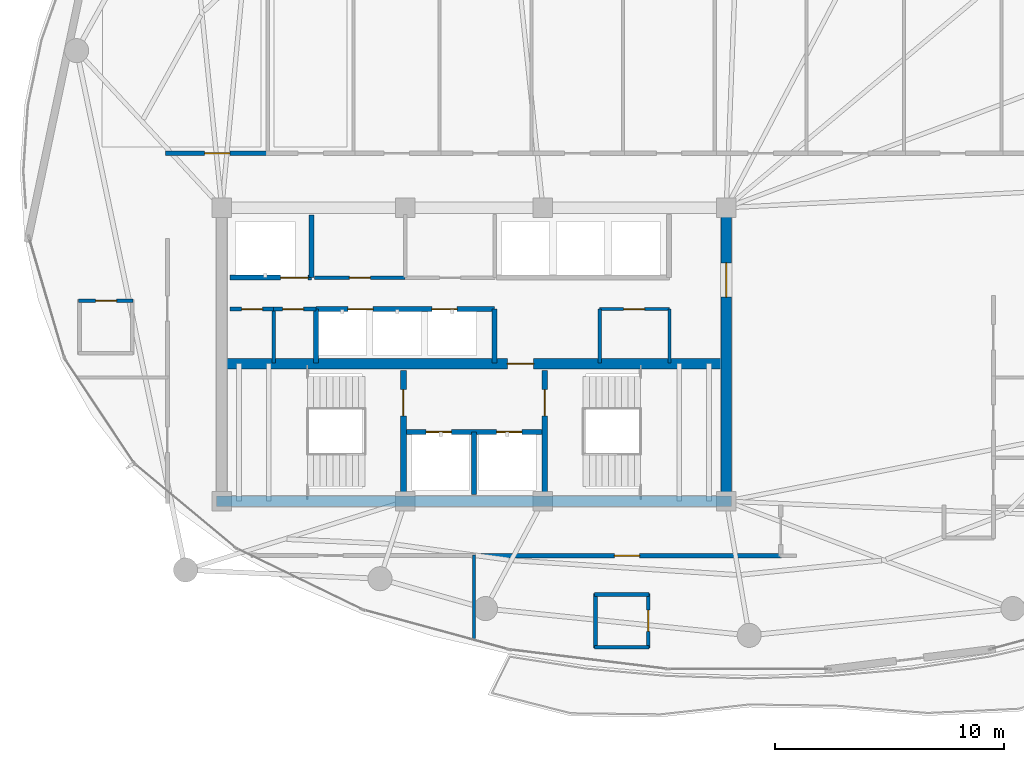
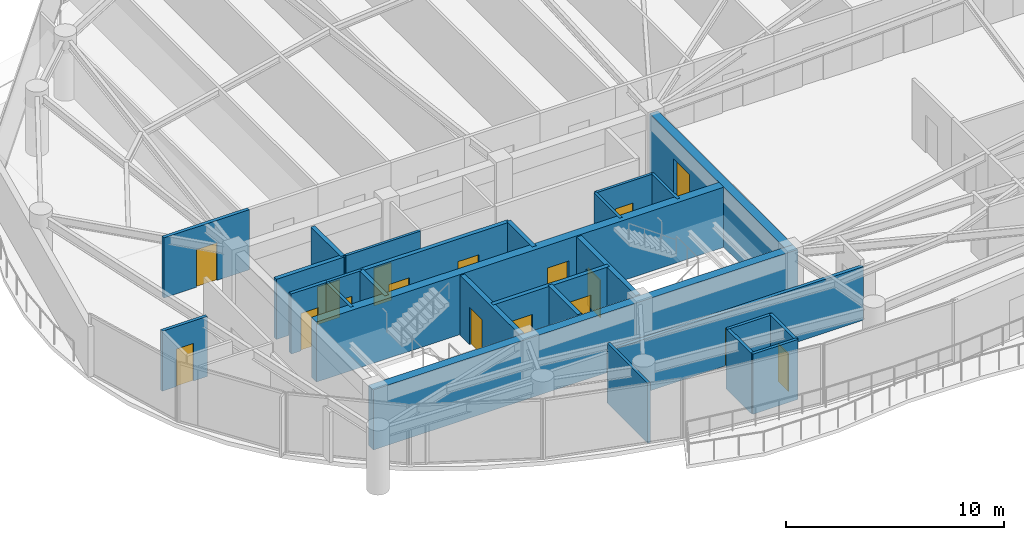
# One storey, part 23 of 29: 27 walls, 17 doors, 17 openings.
"""IFC4 building model written with IfcOpenShell, lengths in metres."""

from ifc_helpers import new_model, si_unit, direction, frame, frame_2d, origin, place, context, subcontext, project, spatial, rectangle, extrude, material, layer, layer_set, type_object, element, fill, save


model = new_model("IFC4")

# Units and contexts
model_context = context("Model", 3, precision=1e-05, world=origin(), true_north=direction((0.0, 1.0)))
body_context = subcontext(model_context, "Body", "Model", "MODEL_VIEW")
ifc_project = project(units=[si_unit("LENGTHUNIT", "METRE"), si_unit("AREAUNIT", "SQUARE_METRE"), si_unit("VOLUMEUNIT", "CUBIC_METRE"), si_unit("PLANEANGLEUNIT", "RADIAN"), si_unit("MASSUNIT", "GRAM", prefix="KILO")], contexts=[model_context])

# Site, building, storey
site_placement = place(None, origin())
site = spatial("IfcSite", under=ifc_project, at=site_placement, CompositionType="ELEMENT")
building_placement = place(site_placement, origin())
building = spatial("IfcBuilding", under=site, at=building_placement, Name="Kazevale Care Tower and Concert Hall", CompositionType="ELEMENT")
storey_placement = place(building_placement, frame((0.0, 0.0, 195.60009765625)))
storey = spatial("IfcBuildingStorey", under=building, at=storey_placement, Name="L51", CompositionType="ELEMENT", Elevation=195.60009765625)

# Wall, opening, door
ifc_material_1 = material(Name="Acoustic Gypsum on Steel Stud", Category="steel")
ifc_layer_1 = layer(ifc_material_1, 0.139892578125)
ifc_layer_set_1 = layer_set([ifc_layer_1], Name="Acoustic Gypsum on Steel Stud")
wall_type_1 = type_object("IfcWallType", Name="Acoustic Care & Suite Partition 140", PredefinedType="PARTITIONING", material=ifc_layer_set_1)
wall_1_placement = place(storey_placement, frame((26.050048828125, 33.35009765625, 0.0), z_axis=(0.0, 0.0, 1.0), x_axis=(1.0, 0.0, 0.0)))
wall_1 = element("IfcWall", 1, at=wall_1_placement, inside=storey, type_object=wall_type_1, Name="wall:L51:c_rpl1_s", PredefinedType="PARTITIONING", context=body_context, shape_type="SweptSolid", body=[
    extrude(rectangle(XDim=3.949951171875, YDim=0.139892578125, at=frame_2d((1.97509765625, 0.0))), origin(), (0.0, 0.0, 1.0), 3.35986328125),
])
opening_1_placement = place(wall_1_placement, frame((1.514892578125, 0.0, 0.0)))
opening_1 = element("IfcOpeningElement", 2, at=opening_1_placement, cuts=wall_1, Name="Opening ID-900", PredefinedType="OPENING", context=body_context, shape_type="SweptSolid", body=[
    extrude(rectangle(XDim=0.919921875, YDim=2.10009765625, at=frame_2d((0.4599609375, 1.050048828125))), frame((0.0, 0.079833984375, 0.0), z_axis=(0.0, -1.0, 0.0), x_axis=(1.0, 0.0, 0.0)), (0.0, 0.0, 1.0), 0.159912109375),
])
ifc_material_2 = material(Name="Oak Timber Fire Leaf", Category="wood")
door_type_1 = type_object("IfcDoorType", Name="Bathroom & Service Door 920x2100", OperationType="NOTDEFINED", PredefinedType="DOOR", material=ifc_material_2)
door_1_placement = place(opening_1_placement, origin())
door_1 = element("IfcDoor", 3, at=door_1_placement, inside=storey, type_object=door_type_1, Name="door:L51:d_rpl1", OperationType="SINGLE_SWING_LEFT", OverallHeight=2.10009765625, OverallWidth=0.919921875, PredefinedType="DOOR", context=body_context, shape_type="SweptSolid", body=[
    extrude(rectangle(XDim=0.919921875, YDim=2.10009765625, at=frame_2d((0.4599609375, 1.050048828125))), frame((0.0, 0.02490234375, 0.0), z_axis=(0.0, -1.0, 0.0), x_axis=(1.0, 0.0, 0.0)), (0.0, 0.0, 1.0), 0.050048828125),
])
fill(opening_1, door_1)

# Walls
for number, where, z_axis, x_axis, name in (
    (4, (38.47998046875, 29.6201171875, 0.0), (0.0, 0.0, 1.0), (0.0, 1.0, 0.0), "wall:L51:kb_ew"),
    (5, (41.52001953125, 29.6201171875, 0.0), (0.0, 0.0, 1.0), (0.0, 1.0, 0.0), "wall:L51:kb_ee"),
):
    element("IfcWall", number, at=place(storey_placement, frame(where, z_axis=z_axis, x_axis=x_axis)), inside=storey, type_object=wall_type_1, Name=name, PredefinedType="PARTITIONING", context=body_context, shape_type="SweptSolid", body=[
        extrude(rectangle(XDim=2.35986328125, YDim=0.139892578125, at=frame_2d((1.179931640625, 0.0))), origin(), (0.0, 0.0, 1.0), 3.35986328125),
    ])

# Wall, opening, door
wall_2_placement = place(storey_placement, frame((38.47998046875, 31.97998046875, 0.0), z_axis=(0.0, 0.0, 1.0), x_axis=(1.0, 0.0, 0.0)))
wall_2 = element("IfcWall", 6, at=wall_2_placement, inside=storey, type_object=wall_type_1, Name="wall:L51:kb_en", PredefinedType="PARTITIONING", context=body_context, shape_type="SweptSolid", body=[
    extrude(rectangle(XDim=3.0400390625, YDim=0.139892578125, at=frame_2d((1.52001953125, 0.0))), origin(), (0.0, 0.0, 1.0), 3.35986328125),
])
opening_2_placement = place(wall_2_placement, frame((1.044921875, 0.0, 0.0)))
opening_2 = element("IfcOpeningElement", 7, at=opening_2_placement, cuts=wall_2, Name="Opening ID-900", PredefinedType="OPENING", context=body_context, shape_type="SweptSolid", body=[
    extrude(rectangle(XDim=0.919921875, YDim=2.10009765625, at=frame_2d((0.4599609375, 1.050048828125))), frame((0.0, 0.079833984375, 0.0), z_axis=(0.0, -1.0, 0.0), x_axis=(1.0, 0.0, 0.0)), (0.0, 0.0, 1.0), 0.159912109375),
])
door_2_placement = place(opening_2_placement, origin())
door_2 = element("IfcDoor", 8, at=door_2_placement, inside=storey, type_object=door_type_1, Name="door:L51:d_kbe", OperationType="SINGLE_SWING_LEFT", OverallHeight=2.10009765625, OverallWidth=0.919921875, PredefinedType="DOOR", context=body_context, shape_type="SweptSolid", body=[
    extrude(rectangle(XDim=0.919921875, YDim=2.10009765625, at=frame_2d((0.4599609375, 1.050048828125))), frame((0.0, 0.02490234375, 0.0), z_axis=(0.0, -1.0, 0.0), x_axis=(1.0, 0.0, 0.0)), (0.0, 0.0, 1.0), 0.050048828125),
])
fill(opening_2, door_2)

# Walls
wall_3_placement = place(storey_placement, frame((33.0, 21.2548828125, 0.0), z_axis=(0.0, 0.0, 1.0), x_axis=(0.0, -1.0, 0.0)))
element("IfcWall", 9, at=wall_3_placement, inside=storey, type_object=wall_type_1, Name="wall:L51:auto_039", PredefinedType="PARTITIONING", context=body_context, shape_type="SweptSolid", body=[
    extrude(rectangle(XDim=3.69482421875, YDim=0.139892578125, at=frame_2d((1.847412109375, 0.0))), origin(), (0.0, 0.0, 1.0), 3.35986328125),
])
ifc_material_3 = material(Name="Concrete C50", Category="concrete")
ifc_layer_2 = layer(ifc_material_3, 0.449951171875)
ifc_layer_set_2 = layer_set([ifc_layer_2], Name="Concrete C50")
wall_type_2 = type_object("IfcWallType", Name="Core Shear Wall 450 C50", PredefinedType="SHEAR", material=ifc_layer_set_2)
wall_4_placement = place(storey_placement, frame((21.77490234375, 23.60009765625, 0.0), z_axis=(0.0, 0.0, 1.0), x_axis=(1.0, 0.0, 0.0)))
element("IfcWall", 10, at=wall_4_placement, inside=storey, type_object=wall_type_2, Name="wall:L51:core:S", PredefinedType="SHEAR", context=body_context, shape_type="SweptSolid", body=[
    extrude(rectangle(XDim=22.4501953125, YDim=0.449951171875, at=frame_2d((11.22509765625, 0.0))), origin(), (0.0, 0.0, 1.0), 3.35986328125),
])

# Wall, opening, door
wall_5_placement = place(storey_placement, frame((44.0, 23.824951171875, 0.0), z_axis=(0.0, 0.0, 1.0), x_axis=(0.0, 1.0, 0.0)))
wall_5 = element("IfcWall", 11, at=wall_5_placement, inside=storey, type_object=wall_type_2, Name="wall:L51:core:E", PredefinedType="SHEAR", context=body_context, shape_type="SweptSolid", body=[
    extrude(rectangle(XDim=12.35009765625, YDim=0.449951171875, at=frame_2d((6.175048828125, 0.0))), origin(), (0.0, 0.0, 1.0), 3.35986328125),
])
opening_3_placement = place(wall_5_placement, frame((8.675048828125, 0.0, 0.0)))
opening_3 = element("IfcOpeningElement", 12, at=opening_3_placement, cuts=wall_5, Name="Opening FD-60D", PredefinedType="OPENING", context=body_context, shape_type="SweptSolid", body=[
    extrude(rectangle(XDim=1.5, YDim=2.14990234375, at=frame_2d((0.75, 1.074951171875))), frame((0.0, 0.23486328125, 0.0), z_axis=(0.0, -1.0, 0.0), x_axis=(1.0, 0.0, 0.0)), (0.0, 0.0, 1.0), 0.469970703125),
])
door_type_2 = type_object("IfcDoorType", Name="Double Lobby & Auditorium Fire Door 1500x2150", OperationType="NOTDEFINED", PredefinedType="DOOR", material=ifc_material_2)
door_3_placement = place(opening_3_placement, origin())
door_3 = element("IfcDoor", 13, at=door_3_placement, inside=storey, type_object=door_type_2, Name="door:L51:core_east_out", OperationType="DOUBLE_DOOR_SINGLE_SWING", OverallHeight=2.14990234375, OverallWidth=1.5, PredefinedType="DOOR", context=body_context, shape_type="SweptSolid", body=[
    extrude(rectangle(XDim=1.5, YDim=2.14990234375, at=frame_2d((0.75, 1.074951171875))), frame((0.0, 0.02490234375, 0.0), z_axis=(0.0, -1.0, 0.0), x_axis=(1.0, 0.0, 0.0)), (0.0, 0.0, 1.0), 0.050048828125),
])
fill(opening_3, door_3)

wall_6_placement = place(storey_placement, frame((22.22509765625, 29.60009765625, 0.0), z_axis=(0.0, 0.0, 1.0), x_axis=(1.0, 0.0, 0.0)))
wall_6 = element("IfcWall", 14, at=wall_6_placement, inside=storey, type_object=wall_type_2, Name="wall:L51:core:M", PredefinedType="SHEAR", context=body_context, shape_type="SweptSolid", body=[
    extrude(rectangle(XDim=21.5498046875, YDim=0.449951171875, at=frame_2d((10.77490234375, 0.0))), origin(), (0.0, 0.0, 1.0), 3.35986328125),
])
opening_4_placement = place(wall_6_placement, frame((12.22509765625, 0.0, 0.0)))
opening_4 = element("IfcOpeningElement", 15, at=opening_4_placement, cuts=wall_6, Name="Opening FD-90", PredefinedType="OPENING", context=body_context, shape_type="SweptSolid", body=[
    extrude(rectangle(XDim=1.14990234375, YDim=2.10009765625, at=frame_2d((0.574951171875, 1.050048828125))), frame((0.0, 0.23486328125, 0.0), z_axis=(0.0, -1.0, 0.0), x_axis=(1.0, 0.0, 0.0)), (0.0, 0.0, 1.0), 0.469970703125),
])
ifc_material_4 = material(Name="Steel ASTM A572 Gr 50", Category="steel")
door_type_3 = type_object("IfcDoorType", Name="Pressurized Stair & Lobby Fire Door 1150x2100", OperationType="NOTDEFINED", PredefinedType="DOOR", material=ifc_material_4)
door_4_placement = place(opening_4_placement, origin())
door_4 = element("IfcDoor", 16, at=door_4_placement, inside=storey, type_object=door_type_3, Name="door:L51:ff_to_pax", OperationType="SINGLE_SWING_LEFT", OverallHeight=2.10009765625, OverallWidth=1.14990234375, PredefinedType="DOOR", context=body_context, shape_type="SweptSolid", body=[
    extrude(rectangle(XDim=1.14990234375, YDim=2.10009765625, at=frame_2d((0.574951171875, 1.050048828125))), frame((0.0, 0.02490234375, 0.0), z_axis=(0.0, -1.0, 0.0), x_axis=(1.0, 0.0, 0.0)), (0.0, 0.0, 1.0), 0.050048828125),
])
fill(opening_4, door_4)

# Wall, openings, doors
ifc_material_5 = material(Name="Concrete C40", Category="concrete")
ifc_layer_3 = layer(ifc_material_5, 0.219970703125)
ifc_layer_set_3 = layer_set([ifc_layer_3], Name="Concrete C40")
wall_type_3 = type_object("IfcWallType", Name="Elevator Hoistway Shaft Wall 220", PredefinedType="SOLIDWALL", material=ifc_layer_set_3)
wall_7_placement = place(storey_placement, frame((29.919921875, 26.6201171875, 0.0), z_axis=(0.0, 0.0, 1.0), x_axis=(1.0, 0.0, 0.0)))
wall_7 = element("IfcWall", 17, at=wall_7_placement, inside=storey, type_object=wall_type_3, Name="wall:L51:c_ffl_n", PredefinedType="SOLIDWALL", context=body_context, shape_type="SweptSolid", body=[
    extrude(rectangle(XDim=6.16015625, YDim=0.219970703125, at=frame_2d((3.080078125, 0.0))), origin(), (0.0, 0.0, 1.0), 3.35986328125),
])
opening_5_placement = place(wall_7_placement, frame((0.989990234375, 0.0, 0.0)))
opening_5 = element("IfcOpeningElement", 18, at=opening_5_placement, cuts=wall_7, Name="Opening LD-FF", PredefinedType="OPENING", context=body_context, shape_type="SweptSolid", body=[
    extrude(rectangle(XDim=1.10009765625, YDim=2.10009765625, at=frame_2d((0.550048828125, 1.050048828125))), frame((0.0, 0.119873046875, 0.0), z_axis=(0.0, -1.0, 0.0), x_axis=(1.0, 0.0, 0.0)), (0.0, 0.0, 1.0), 0.239990234375),
])
opening_6_placement = place(wall_7_placement, frame((4.070068359375, 0.0, 0.0)))
opening_6 = element("IfcOpeningElement", 19, at=opening_6_placement, cuts=wall_7, Name="Opening LD-FF", PredefinedType="OPENING", context=body_context, shape_type="SweptSolid", body=[
    extrude(rectangle(XDim=1.10009765625, YDim=2.10009765625, at=frame_2d((0.550048828125, 1.050048828125))), frame((0.0, 0.119873046875, 0.0), z_axis=(0.0, -1.0, 0.0), x_axis=(1.0, 0.0, 0.0)), (0.0, 0.0, 1.0), 0.239990234375),
])
ifc_material_6 = material(Name="Stainless Steel 316", Category="steel")
door_type_4 = type_object("IfcDoorType", Name="Emergency Lift Sliding Landing Door 1100x2100", OperationType="NOTDEFINED", PredefinedType="DOOR", material=ifc_material_6)
door_5_placement = place(opening_5_placement, origin())
door_5 = element("IfcDoor", 20, at=door_5_placement, inside=storey, type_object=door_type_4, Name="door:L51:ld_ffl1", OperationType="SLIDING_TO_LEFT", OverallHeight=2.10009765625, OverallWidth=1.10009765625, PredefinedType="DOOR", context=body_context, shape_type="SweptSolid", body=[
    extrude(rectangle(XDim=1.10009765625, YDim=2.10009765625, at=frame_2d((0.550048828125, 1.050048828125))), frame((0.0, 0.02490234375, 0.0), z_axis=(0.0, -1.0, 0.0), x_axis=(1.0, 0.0, 0.0)), (0.0, 0.0, 1.0), 0.050048828125),
])
fill(opening_5, door_5)
door_6_placement = place(opening_6_placement, origin())
door_6 = element("IfcDoor", 21, at=door_6_placement, inside=storey, type_object=door_type_4, Name="door:L51:ld_ffl2", OperationType="SLIDING_TO_RIGHT", OverallHeight=2.10009765625, OverallWidth=1.10009765625, PredefinedType="DOOR", context=body_context, shape_type="SweptSolid", body=[
    extrude(rectangle(XDim=1.10009765625, YDim=2.10009765625, at=frame_2d((0.550048828125, 1.050048828125))), frame((0.0, 0.02490234375, 0.0), z_axis=(0.0, -1.0, 0.0), x_axis=(1.0, 0.0, 0.0)), (0.0, 0.0, 1.0), 0.050048828125),
])
fill(opening_6, door_6)

# Walls
wall_8_placement = place(storey_placement, frame((33.0, 23.89990234375, 0.0), z_axis=(0.0, 0.0, 1.0), x_axis=(0.0, 1.0, 0.0)))
element("IfcWall", 22, at=wall_8_placement, inside=storey, type_object=wall_type_3, Name="wall:L51:c_ffl_m", PredefinedType="SOLIDWALL", context=body_context, shape_type="SweptSolid", body=[
    extrude(rectangle(XDim=2.72021484375, YDim=0.219970703125, at=frame_2d((1.360107421875, 0.0))), origin(), (0.0, 0.0, 1.0), 3.35986328125),
])
wall_9_placement = place(storey_placement, frame((25.919921875, 33.35009765625, 0.0), z_axis=(0.0, 0.0, 1.0), x_axis=(0.0, 1.0, 0.0)))
element("IfcWall", 23, at=wall_9_placement, inside=storey, type_object=wall_type_3, Name="wall:L51:c_svl_e", PredefinedType="SOLIDWALL", context=body_context, shape_type="SweptSolid", body=[
    extrude(rectangle(XDim=2.72998046875, YDim=0.219970703125, at=frame_2d((1.364990234375, 0.0))), origin(), (0.0, 0.0, 1.0), 3.35986328125),
])

# Wall, opening, door
wall_10_placement = place(storey_placement, frame((22.35009765625, 33.35009765625, 0.0), z_axis=(0.0, 0.0, 1.0), x_axis=(1.0, 0.0, 0.0)))
wall_10 = element("IfcWall", 24, at=wall_10_placement, inside=storey, type_object=wall_type_3, Name="wall:L51:c_svl_s", PredefinedType="SOLIDWALL", context=body_context, shape_type="SweptSolid", body=[
    extrude(rectangle(XDim=3.56982421875, YDim=0.219970703125, at=frame_2d((1.784912109375, 0.0))), origin(), (0.0, 0.0, 1.0), 3.35986328125),
])
opening_7_placement = place(wall_10_placement, frame((2.212890625, 0.0, 0.0)))
opening_7 = element("IfcOpeningElement", 25, at=opening_7_placement, cuts=wall_10, Name="Opening LD-SV", PredefinedType="OPENING", context=body_context, shape_type="SweptSolid", body=[
    extrude(rectangle(XDim=1.199951171875, YDim=2.10009765625, at=frame_2d((0.60009765625, 1.050048828125))), frame((0.0, 0.119873046875, 0.0), z_axis=(0.0, -1.0, 0.0), x_axis=(1.0, 0.0, 0.0)), (0.0, 0.0, 1.0), 0.239990234375),
])
door_type_5 = type_object("IfcDoorType", Name="Service Lift Sliding Landing Door 1200x2100", OperationType="NOTDEFINED", PredefinedType="DOOR", material=ifc_material_6)
door_7_placement = place(opening_7_placement, origin())
door_7 = element("IfcDoor", 26, at=door_7_placement, inside=storey, type_object=door_type_5, Name="door:L51:ld_svl1", OperationType="SLIDING_TO_LEFT", OverallHeight=2.10009765625, OverallWidth=1.199951171875, PredefinedType="DOOR", context=body_context, shape_type="SweptSolid", body=[
    extrude(rectangle(XDim=1.199951171875, YDim=2.10009765625, at=frame_2d((0.60009765625, 1.050048828125))), frame((0.0, 0.02490234375, 0.0), z_axis=(0.0, -1.0, 0.0), x_axis=(1.0, 0.0, 0.0)), (0.0, 0.0, 1.0), 0.050048828125),
])
fill(opening_7, door_7)

# Wall
wall_11_placement = place(storey_placement, frame((26.10009765625, 29.6201171875, 0.0), z_axis=(0.0, 0.0, 1.0), x_axis=(0.0, 1.0, 0.0)))
element("IfcWall", 27, at=wall_11_placement, inside=storey, type_object=wall_type_3, Name="wall:L51:c_ph_w", PredefinedType="SOLIDWALL", context=body_context, shape_type="SweptSolid", body=[
    extrude(rectangle(XDim=2.35986328125, YDim=0.219970703125, at=frame_2d((1.179931640625, 0.0))), origin(), (0.0, 0.0, 1.0), 3.35986328125),
])

# Wall, openings, doors
wall_12_placement = place(storey_placement, frame((26.10009765625, 31.97998046875, 0.0), z_axis=(0.0, 0.0, 1.0), x_axis=(1.0, 0.0, 0.0)))
wall_12 = element("IfcWall", 28, at=wall_12_placement, inside=storey, type_object=wall_type_3, Name="wall:L51:c_ph_n", PredefinedType="SOLIDWALL", context=body_context, shape_type="SweptSolid", body=[
    extrude(rectangle(XDim=7.7998046875, YDim=0.219970703125, at=frame_2d((3.89990234375, 0.0))), origin(), (0.0, 0.0, 1.0), 3.35986328125),
])
opening_8_placement = place(wall_12_placement, frame((1.39990234375, 0.0, 0.0)))
opening_8 = element("IfcOpeningElement", 29, at=opening_8_placement, cuts=wall_12, Name="Opening LD-PAX", PredefinedType="OPENING", context=body_context, shape_type="SweptSolid", body=[
    extrude(rectangle(XDim=1.10009765625, YDim=2.10009765625, at=frame_2d((0.550048828125, 1.050048828125))), frame((0.0, 0.119873046875, 0.0), z_axis=(0.0, -1.0, 0.0), x_axis=(1.0, 0.0, 0.0)), (0.0, 0.0, 1.0), 0.239990234375),
])
opening_9_placement = place(wall_12_placement, frame((5.06591796875, 0.0, 0.0)))
opening_9 = element("IfcOpeningElement", 30, at=opening_9_placement, cuts=wall_12, Name="Opening LD-PAX", PredefinedType="OPENING", context=body_context, shape_type="SweptSolid", body=[
    extrude(rectangle(XDim=1.10009765625, YDim=2.10009765625, at=frame_2d((0.550048828125, 1.050048828125))), frame((0.0, 0.119873046875, 0.0), z_axis=(0.0, -1.0, 0.0), x_axis=(1.0, 0.0, 0.0)), (0.0, 0.0, 1.0), 0.239990234375),
])
door_type_6 = type_object("IfcDoorType", Name="Passenger Lift Sliding Landing Door 1100x2100", OperationType="NOTDEFINED", PredefinedType="DOOR", material=ifc_material_6)
door_8_placement = place(opening_8_placement, origin())
door_8 = element("IfcDoor", 31, at=door_8_placement, inside=storey, type_object=door_type_6, Name="door:L51:ld_ph1", OperationType="SLIDING_TO_LEFT", OverallHeight=2.10009765625, OverallWidth=1.10009765625, PredefinedType="DOOR", context=body_context, shape_type="SweptSolid", body=[
    extrude(rectangle(XDim=1.10009765625, YDim=2.10009765625, at=frame_2d((0.550048828125, 1.050048828125))), frame((0.0, 0.02490234375, 0.0), z_axis=(0.0, -1.0, 0.0), x_axis=(1.0, 0.0, 0.0)), (0.0, 0.0, 1.0), 0.050048828125),
])
fill(opening_8, door_8)
door_9_placement = place(opening_9_placement, origin())
door_9 = element("IfcDoor", 32, at=door_9_placement, inside=storey, type_object=door_type_6, Name="door:L51:ld_ph2", OperationType="SLIDING_TO_RIGHT", OverallHeight=2.10009765625, OverallWidth=1.10009765625, PredefinedType="DOOR", context=body_context, shape_type="SweptSolid", body=[
    extrude(rectangle(XDim=1.10009765625, YDim=2.10009765625, at=frame_2d((0.550048828125, 1.050048828125))), frame((0.0, 0.02490234375, 0.0), z_axis=(0.0, -1.0, 0.0), x_axis=(1.0, 0.0, 0.0)), (0.0, 0.0, 1.0), 0.050048828125),
])
fill(opening_9, door_9)

# Wall
wall_13_placement = place(storey_placement, frame((33.89990234375, 29.6201171875, 0.0), z_axis=(0.0, 0.0, 1.0), x_axis=(0.0, 1.0, 0.0)))
element("IfcWall", 33, at=wall_13_placement, inside=storey, type_object=wall_type_3, Name="wall:L51:c_ph_e", PredefinedType="SOLIDWALL", context=body_context, shape_type="SweptSolid", body=[
    extrude(rectangle(XDim=2.35986328125, YDim=0.219970703125, at=frame_2d((1.179931640625, 0.0))), origin(), (0.0, 0.0, 1.0), 3.35986328125),
])

# Wall, opening, door
ifc_material_7 = material(Name="Concrete C40 and Acoustic Gypsum", Category="concrete")
ifc_layer_4 = layer(ifc_material_7, 0.179931640625)
ifc_layer_set_4 = layer_set([ifc_layer_4], Name="Concrete C40 and Acoustic Gypsum")
wall_type_4 = type_object("IfcWallType", Name="Fire-Rated Corridor & Party Wall 180", PredefinedType="PARTITIONING", material=ifc_layer_set_4)
wall_14_placement = place(storey_placement, frame((22.35009765625, 31.97998046875, 0.0), z_axis=(0.0, 0.0, 1.0), x_axis=(1.0, 0.0, 0.0)))
wall_14 = element("IfcWall", 34, at=wall_14_placement, inside=storey, type_object=wall_type_4, Name="wall:L51:kb_wn0", PredefinedType="PARTITIONING", context=body_context, shape_type="SweptSolid", body=[
    extrude(rectangle(XDim=1.909912109375, YDim=0.179931640625, at=frame_2d((0.955078125, 0.0))), origin(), (0.0, 0.0, 1.0), 3.35986328125),
])
opening_10_placement = place(wall_14_placement, frame((0.514892578125, 0.0, 0.0)))
opening_10 = element("IfcOpeningElement", 35, at=opening_10_placement, cuts=wall_14, Name="Opening ID-900", PredefinedType="OPENING", context=body_context, shape_type="SweptSolid", body=[
    extrude(rectangle(XDim=0.919921875, YDim=2.10009765625, at=frame_2d((0.4599609375, 1.050048828125))), frame((0.0, 0.099853515625, 0.0), z_axis=(0.0, -1.0, 0.0), x_axis=(1.0, 0.0, 0.0)), (0.0, 0.0, 1.0), 0.199951171875),
])
door_10_placement = place(opening_10_placement, origin())
door_10 = element("IfcDoor", 36, at=door_10_placement, inside=storey, type_object=door_type_1, Name="door:L51:d_kbw1", OperationType="SINGLE_SWING_LEFT", OverallHeight=2.10009765625, OverallWidth=0.919921875, PredefinedType="DOOR", context=body_context, shape_type="SweptSolid", body=[
    extrude(rectangle(XDim=0.919921875, YDim=2.10009765625, at=frame_2d((0.4599609375, 1.050048828125))), frame((0.0, 0.02490234375, 0.0), z_axis=(0.0, -1.0, 0.0), x_axis=(1.0, 0.0, 0.0)), (0.0, 0.0, 1.0), 0.050048828125),
])
fill(opening_10, door_10)

wall_15_placement = place(storey_placement, frame((19.544921875, 38.77490234375, 0.0), z_axis=(0.0, 0.0, 1.0), x_axis=(1.0, 0.0, 0.0)))
wall_15 = element("IfcWall", 37, at=wall_15_placement, inside=storey, type_object=wall_type_4, Name="wall:L51:auto_001", PredefinedType="PARTITIONING", context=body_context, shape_type="SweptSolid", body=[
    extrude(rectangle(XDim=4.52001953125, YDim=0.179931640625, at=frame_2d((2.260009765625, 0.0))), origin(), (0.0, 0.0, 1.0), 3.35986328125),
])
opening_11_placement = place(wall_15_placement, frame((1.7099609375, 0.0, 0.0)))
opening_11 = element("IfcOpeningElement", 38, at=opening_11_placement, cuts=wall_15, Name="Opening ID-1100", PredefinedType="OPENING", context=body_context, shape_type="SweptSolid", body=[
    extrude(rectangle(XDim=1.10009765625, YDim=2.10009765625, at=frame_2d((0.550048828125, 1.050048828125))), frame((0.0, 0.099853515625, 0.0), z_axis=(0.0, -1.0, 0.0), x_axis=(1.0, 0.0, 0.0)), (0.0, 0.0, 1.0), 0.199951171875),
])
door_type_7 = type_object("IfcDoorType", Name="Care Bedroom Accessible Door 1100x2100", OperationType="NOTDEFINED", PredefinedType="DOOR", material=ifc_material_2)
door_11_placement = place(opening_11_placement, origin())
door_11 = element("IfcDoor", 39, at=door_11_placement, inside=storey, type_object=door_type_7, Name="door:L51:ad_001", OperationType="SINGLE_SWING_LEFT", OverallHeight=2.10009765625, OverallWidth=1.10009765625, PredefinedType="DOOR", context=body_context, shape_type="SweptSolid", body=[
    extrude(rectangle(XDim=1.10009765625, YDim=2.10009765625, at=frame_2d((0.550048828125, 1.050048828125))), frame((0.0, 0.02490234375, 0.0), z_axis=(0.0, -1.0, 0.0), x_axis=(1.0, 0.0, 0.0)), (0.0, 0.0, 1.0), 0.050048828125),
])
fill(opening_11, door_11)

wall_16_placement = place(storey_placement, frame((46.405029296875, 21.22509765625, 0.0), z_axis=(0.0, 0.0, 1.0), x_axis=(-1.0, 0.0, 0.0)))
wall_16 = element("IfcWall", 40, at=wall_16_placement, inside=storey, type_object=wall_type_4, Name="wall:L51:auto_021", PredefinedType="PARTITIONING", context=body_context, shape_type="SweptSolid", body=[
    extrude(rectangle(XDim=13.469970703125, YDim=0.179931640625, at=frame_2d((6.73486328125, 0.0))), origin(), (0.0, 0.0, 1.0), 2.995849609375),
])
opening_12_placement = place(wall_16_placement, frame((6.18505859375, 0.0, 0.0)))
opening_12 = element("IfcOpeningElement", 41, at=opening_12_placement, cuts=wall_16, Name="Opening ID-1100", PredefinedType="OPENING", context=body_context, shape_type="SweptSolid", body=[
    extrude(rectangle(XDim=1.10009765625, YDim=2.10009765625, at=frame_2d((0.550048828125, 1.050048828125))), frame((0.0, 0.099853515625, 0.0), z_axis=(0.0, -1.0, 0.0), x_axis=(1.0, 0.0, 0.0)), (0.0, 0.0, 1.0), 0.199951171875),
])
door_12_placement = place(opening_12_placement, origin())
door_12 = element("IfcDoor", 42, at=door_12_placement, inside=storey, type_object=door_type_7, Name="door:L51:ad_021", OperationType="SINGLE_SWING_LEFT", OverallHeight=2.10009765625, OverallWidth=1.10009765625, PredefinedType="DOOR", context=body_context, shape_type="SweptSolid", body=[
    extrude(rectangle(XDim=1.10009765625, YDim=2.10009765625, at=frame_2d((0.550048828125, 1.050048828125))), frame((0.0, 0.02490234375, 0.0), z_axis=(0.0, -1.0, 0.0), x_axis=(1.0, 0.0, 0.0)), (0.0, 0.0, 1.0), 0.050048828125),
])
fill(opening_12, door_12)

# Wall
ifc_layer_5 = layer(ifc_material_1, 0.159912109375)
ifc_layer_set_5 = layer_set([ifc_layer_5], Name="Acoustic Gypsum on Steel Stud")
wall_type_5 = type_object("IfcWallType", Name="Moisture-Resistant Bathroom Plumbing Wall 160", PredefinedType="PLUMBINGWALL", material=ifc_layer_set_5)
wall_17_placement = place(storey_placement, frame((24.260009765625, 29.6201171875, 0.0), z_axis=(0.0, 0.0, 1.0), x_axis=(0.0, 1.0, 0.0)))
element("IfcWall", 43, at=wall_17_placement, inside=storey, type_object=wall_type_5, Name="wall:L51:kb_we1", PredefinedType="PLUMBINGWALL", context=body_context, shape_type="SweptSolid", body=[
    extrude(rectangle(XDim=2.35986328125, YDim=0.159912109375, at=frame_2d((1.179931640625, 0.0))), origin(), (0.0, 0.0, 1.0), 3.35986328125),
])

# Wall, opening, door
wall_18_placement = place(storey_placement, frame((24.260009765625, 31.97998046875, 0.0), z_axis=(0.0, 0.0, 1.0), x_axis=(1.0, 0.0, 0.0)))
wall_18 = element("IfcWall", 44, at=wall_18_placement, inside=storey, type_object=wall_type_5, Name="wall:L51:kb_wn1", PredefinedType="PLUMBINGWALL", context=body_context, shape_type="SweptSolid", body=[
    extrude(rectangle(XDim=1.840087890625, YDim=0.159912109375, at=frame_2d((0.919921875, 0.0))), origin(), (0.0, 0.0, 1.0), 3.35986328125),
])
opening_13_placement = place(wall_18_placement, frame((0.387939453125, 0.0, 0.0)))
opening_13 = element("IfcOpeningElement", 45, at=opening_13_placement, cuts=wall_18, Name="Opening ID-900", PredefinedType="OPENING", context=body_context, shape_type="SweptSolid", body=[
    extrude(rectangle(XDim=0.919921875, YDim=2.10009765625, at=frame_2d((0.4599609375, 1.050048828125))), frame((0.0, 0.08984375, 0.0), z_axis=(0.0, -1.0, 0.0), x_axis=(1.0, 0.0, 0.0)), (0.0, 0.0, 1.0), 0.179931640625),
])
door_13_placement = place(opening_13_placement, origin())
door_13 = element("IfcDoor", 46, at=door_13_placement, inside=storey, type_object=door_type_1, Name="door:L51:d_kbw2", OperationType="SINGLE_SWING_RIGHT", OverallHeight=2.10009765625, OverallWidth=0.919921875, PredefinedType="DOOR", context=body_context, shape_type="SweptSolid", body=[
    extrude(rectangle(XDim=0.919921875, YDim=2.10009765625, at=frame_2d((0.4599609375, 1.050048828125))), frame((0.0, 0.02490234375, 0.0), z_axis=(0.0, -1.0, 0.0), x_axis=(1.0, 0.0, 0.0)), (0.0, 0.0, 1.0), 0.050048828125),
])
fill(opening_13, door_13)

# Walls
for number, where, z_axis, x_axis, name in (
    (47, (38.260009765625, 17.22998046875, 0.0), (0.0, 0.0, 1.0), (1.0, 0.0, 0.0), "wall:L51:sb2_ens_ws"),
    (48, (38.260009765625, 19.530029296875, 0.0), (0.0, 0.0, 1.0), (1.0, 0.0, 0.0), "wall:L51:sb2_ens_wn"),
):
    element("IfcWall", number, at=place(storey_placement, frame(where, z_axis=z_axis, x_axis=x_axis)), inside=storey, type_object=wall_type_5, Name=name, PredefinedType="PLUMBINGWALL", context=body_context, shape_type="SweptSolid", body=[
        extrude(rectangle(XDim=2.3798828125, YDim=0.159912109375, at=frame_2d((1.18994140625, 0.0))), origin(), (0.0, 0.0, 1.0), 3.35986328125),
    ])
wall_19_placement = place(storey_placement, frame((38.300048828125, 17.18994140625, 0.0), z_axis=(0.0, 0.0, 1.0), x_axis=(0.0, 1.0, 0.0)))
element("IfcWall", 49, at=wall_19_placement, inside=storey, type_object=wall_type_5, Name="wall:L51:sb2_ens_ww", PredefinedType="PLUMBINGWALL", context=body_context, shape_type="SweptSolid", body=[
    extrude(rectangle(XDim=2.380126953125, YDim=0.159912109375, at=frame_2d((1.18994140625, 0.0))), origin(), (0.0, 0.0, 1.0), 3.35986328125),
])

# Wall, opening, door
wall_20_placement = place(storey_placement, frame((40.60009765625, 17.18994140625, 0.0), z_axis=(0.0, 0.0, 1.0), x_axis=(0.0, 1.0, 0.0)))
wall_20 = element("IfcWall", 50, at=wall_20_placement, inside=storey, type_object=wall_type_5, Name="wall:L51:sb2_ens_we", PredefinedType="PLUMBINGWALL", context=body_context, shape_type="SweptSolid", body=[
    extrude(rectangle(XDim=2.380126953125, YDim=0.159912109375, at=frame_2d((1.18994140625, 0.0))), origin(), (0.0, 0.0, 1.0), 3.35986328125),
])
opening_14_placement = place(wall_20_placement, frame((0.739990234375, 0.0, 0.0)))
opening_14 = element("IfcOpeningElement", 51, at=opening_14_placement, cuts=wall_20, Name="Opening ID-900", PredefinedType="OPENING", context=body_context, shape_type="SweptSolid", body=[
    extrude(rectangle(XDim=0.919921875, YDim=2.10009765625, at=frame_2d((0.4599609375, 1.050048828125))), frame((0.0, 0.08984375, 0.0), z_axis=(0.0, -1.0, 0.0), x_axis=(1.0, 0.0, 0.0)), (0.0, 0.0, 1.0), 0.179931640625),
])
door_14_placement = place(opening_14_placement, origin())
door_14 = element("IfcDoor", 52, at=door_14_placement, inside=storey, type_object=door_type_1, Name="door:L51:sb2_ens_d", OperationType="SINGLE_SWING_LEFT", OverallHeight=2.10009765625, OverallWidth=0.919921875, PredefinedType="DOOR", context=body_context, shape_type="SweptSolid", body=[
    extrude(rectangle(XDim=0.919921875, YDim=2.10009765625, at=frame_2d((0.4599609375, 1.050048828125))), frame((0.0, 0.02490234375, 0.0), z_axis=(0.0, -1.0, 0.0), x_axis=(1.0, 0.0, 0.0)), (0.0, 0.0, 1.0), 0.050048828125),
])
fill(opening_14, door_14)

wall_21_placement = place(storey_placement, frame((15.75390625, 32.35009765625, 0.0), z_axis=(0.0, 0.0, 1.0), x_axis=(1.0, 0.0, 0.0)))
wall_21 = element("IfcWall", 53, at=wall_21_placement, inside=storey, type_object=wall_type_5, Name="wall:L51:wb2_ens_wn", PredefinedType="PLUMBINGWALL", context=body_context, shape_type="SweptSolid", body=[
    extrude(rectangle(XDim=2.380126953125, YDim=0.159912109375, at=frame_2d((1.18994140625, 0.0))), origin(), (0.0, 0.0, 1.0), 3.35986328125),
])
opening_15_placement = place(wall_21_placement, frame((0.739990234375, 0.0, 0.0)))
opening_15 = element("IfcOpeningElement", 54, at=opening_15_placement, cuts=wall_21, Name="Opening ID-900", PredefinedType="OPENING", context=body_context, shape_type="SweptSolid", body=[
    extrude(rectangle(XDim=0.919921875, YDim=2.10009765625, at=frame_2d((0.4599609375, 1.050048828125))), frame((0.0, 0.08984375, 0.0), z_axis=(0.0, -1.0, 0.0), x_axis=(1.0, 0.0, 0.0)), (0.0, 0.0, 1.0), 0.179931640625),
])
door_15_placement = place(opening_15_placement, origin())
door_15 = element("IfcDoor", 55, at=door_15_placement, inside=storey, type_object=door_type_1, Name="door:L51:wb2_ens_d", OperationType="SINGLE_SWING_LEFT", OverallHeight=2.10009765625, OverallWidth=0.919921875, PredefinedType="DOOR", context=body_context, shape_type="SweptSolid", body=[
    extrude(rectangle(XDim=0.919921875, YDim=2.10009765625, at=frame_2d((0.4599609375, 1.050048828125))), frame((0.0, 0.02490234375, 0.0), z_axis=(0.0, -1.0, 0.0), x_axis=(1.0, 0.0, 0.0)), (0.0, 0.0, 1.0), 0.050048828125),
])
fill(opening_15, door_15)

ifc_layer_6 = layer(ifc_material_5, 0.25)
ifc_layer_set_6 = layer_set([ifc_layer_6], Name="Concrete C40")
wall_type_6 = type_object("IfcWallType", Name="Pressurized Stair Shaft Wall 250", PredefinedType="SOLIDWALL", material=ifc_layer_set_6)
wall_22_placement = place(storey_placement, frame((29.919921875, 23.89990234375, 0.0), z_axis=(0.0, 0.0, 1.0), x_axis=(0.0, 1.0, 0.0)))
wall_22 = element("IfcWall", 56, at=wall_22_placement, inside=storey, type_object=wall_type_6, Name="wall:L51:c_st1_e", PredefinedType="SOLIDWALL", context=body_context, shape_type="SweptSolid", body=[
    extrude(rectangle(XDim=5.400146484375, YDim=0.25, at=frame_2d((2.7001953125, 0.0))), origin(), (0.0, 0.0, 1.0), 3.35986328125),
])
opening_16_placement = place(wall_22_placement, frame((3.4208984375, 0.0, 0.0)))
opening_16 = element("IfcOpeningElement", 57, at=opening_16_placement, cuts=wall_22, Name="Opening FD-90", PredefinedType="OPENING", context=body_context, shape_type="SweptSolid", body=[
    extrude(rectangle(XDim=1.14990234375, YDim=2.10009765625, at=frame_2d((0.574951171875, 1.050048828125))), frame((0.0, 0.135009765625, 0.0), z_axis=(0.0, -1.0, 0.0), x_axis=(1.0, 0.0, 0.0)), (0.0, 0.0, 1.0), 0.27001953125),
])
door_16_placement = place(opening_16_placement, origin())
door_16 = element("IfcDoor", 58, at=door_16_placement, inside=storey, type_object=door_type_3, Name="door:L51:st1", OperationType="SINGLE_SWING_RIGHT", OverallHeight=2.10009765625, OverallWidth=1.14990234375, PredefinedType="DOOR", context=body_context, shape_type="SweptSolid", body=[
    extrude(rectangle(XDim=1.14990234375, YDim=2.10009765625, at=frame_2d((0.574951171875, 1.050048828125))), frame((0.0, 0.02490234375, 0.0), z_axis=(0.0, -1.0, 0.0), x_axis=(1.0, 0.0, 0.0)), (0.0, 0.0, 1.0), 0.050048828125),
])
fill(opening_16, door_16)

wall_23_placement = place(storey_placement, frame((36.080078125, 23.89990234375, 0.0), z_axis=(0.0, 0.0, 1.0), x_axis=(0.0, 1.0, 0.0)))
wall_23 = element("IfcWall", 59, at=wall_23_placement, inside=storey, type_object=wall_type_6, Name="wall:L51:c_st2_w", PredefinedType="SOLIDWALL", context=body_context, shape_type="SweptSolid", body=[
    extrude(rectangle(XDim=5.400146484375, YDim=0.25, at=frame_2d((2.7001953125, 0.0))), origin(), (0.0, 0.0, 1.0), 3.35986328125),
])
opening_17_placement = place(wall_23_placement, frame((3.4208984375, 0.0, 0.0)))
opening_17 = element("IfcOpeningElement", 60, at=opening_17_placement, cuts=wall_23, Name="Opening FD-90", PredefinedType="OPENING", context=body_context, shape_type="SweptSolid", body=[
    extrude(rectangle(XDim=1.14990234375, YDim=2.10009765625, at=frame_2d((0.574951171875, 1.050048828125))), frame((0.0, 0.135009765625, 0.0), z_axis=(0.0, -1.0, 0.0), x_axis=(1.0, 0.0, 0.0)), (0.0, 0.0, 1.0), 0.27001953125),
])
door_17_placement = place(opening_17_placement, origin())
door_17 = element("IfcDoor", 61, at=door_17_placement, inside=storey, type_object=door_type_3, Name="door:L51:st2", OperationType="SINGLE_SWING_LEFT", OverallHeight=2.10009765625, OverallWidth=1.14990234375, PredefinedType="DOOR", context=body_context, shape_type="SweptSolid", body=[
    extrude(rectangle(XDim=1.14990234375, YDim=2.10009765625, at=frame_2d((0.574951171875, 1.050048828125))), frame((0.0, 0.02490234375, 0.0), z_axis=(0.0, -1.0, 0.0), x_axis=(1.0, 0.0, 0.0)), (0.0, 0.0, 1.0), 0.050048828125),
])
fill(opening_17, door_17)

save(model, "model.ifc")
